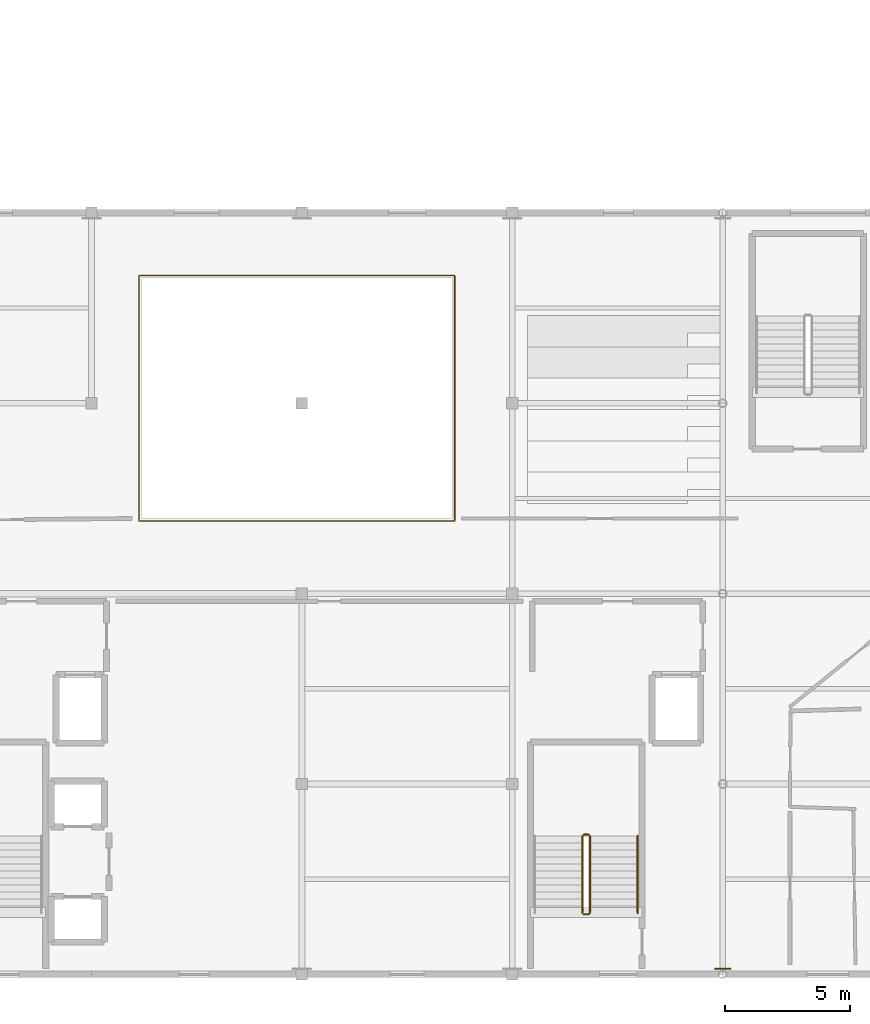
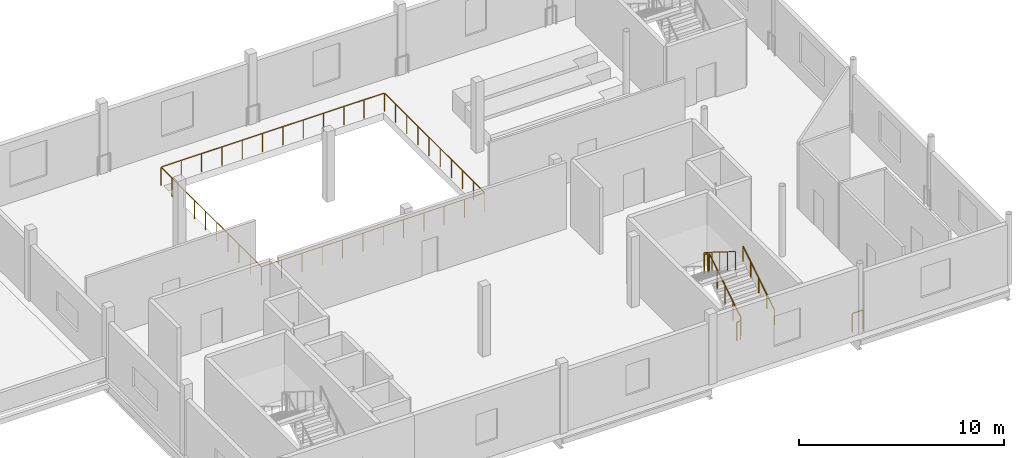
# One storey, part 11 of 13: 7 railings.
"""IFC4 building model written with IfcOpenShell, lengths in metres."""

from ifc_helpers import new_model, si_unit, direction, frame, origin, origin_2d, place, context, subcontext, project, spatial, circle, extrude, material, type_object, element, save


model = new_model("IFC4")

# Units and contexts
model_context = context("Model", 3, precision=1e-05, world=origin(), true_north=direction((0.0, 1.0)))
body_context = subcontext(model_context, "Body", "Model", "MODEL_VIEW")
ifc_project = project(units=[si_unit("LENGTHUNIT", "METRE"), si_unit("AREAUNIT", "SQUARE_METRE"), si_unit("VOLUMEUNIT", "CUBIC_METRE"), si_unit("PLANEANGLEUNIT", "RADIAN"), si_unit("MASSUNIT", "GRAM", prefix="KILO")], contexts=[model_context])

# Site, building, storey
site_placement = place(None, origin())
site = spatial("IfcSite", under=ifc_project, at=site_placement, CompositionType="ELEMENT")
building_placement = place(site_placement, origin())
building = spatial("IfcBuilding", under=site, at=building_placement, Name="Zuvorla Pavilion Media Centre", CompositionType="ELEMENT")
storey_placement = place(building_placement, frame((0.0, 0.0, 22.199951171875)))
storey = spatial("IfcBuildingStorey", under=building, at=storey_placement, Name="L05", CompositionType="ELEMENT", Elevation=22.199951171875)

# Railings
ifc_material_1 = material(Name="Powder-coated steel balustrade guard", Category="steel")
railing_type_1 = type_object("IfcRailingType", Name="RL-INT-GRD", PredefinedType="BALUSTRADE", material=ifc_material_1)
railing_1_placement = place(storey_placement, frame((95.10009765625, 8.449951171875, 0.175048828125)))
element("IfcRailing", 1, at=railing_1_placement, inside=storey, type_object=railing_type_1, Name="L05 ST-02 stair guard 1", PredefinedType="BALUSTRADE", context=body_context, shape_type="SweptSolid", body=[
    extrude(circle(Radius=0.02392578125, at=origin_2d()), frame((0.0, 0.0244140625, 1.111328125), z_axis=(0.0, 0.847998304005, 0.529998940003), x_axis=(-1.0, 0.0, 0.0)), (0.0, 0.0, 1.0), 3.574462890625),
    extrude(circle(Radius=0.02099609375, at=origin_2d()), origin(), (0.0, 0.0, 1.0), 1.070068359375),
    extrude(circle(Radius=0.02099609375, at=origin_2d()), frame((0.0, 0.77001953125, 0.481201171875)), (0.0, 0.0, 1.0), 1.070068359375),
    extrude(circle(Radius=0.02099609375, at=origin_2d()), frame((0.0, 1.5400390625, 0.96240234375)), (0.0, 0.0, 1.0), 1.070068359375),
    extrude(circle(Radius=0.02099609375, at=origin_2d()), frame((0.0, 2.31005859375, 1.44384765625)), (0.0, 0.0, 1.0), 1.070068359375),
    extrude(circle(Radius=0.02099609375, at=origin_2d()), frame((0.0, 3.080078125, 1.925048828125)), (0.0, 0.0, 1.0), 1.070068359375),
])
railing_2_placement = place(storey_placement, frame((95.050048828125, 11.580078125, 2.10009765625)))
element("IfcRailing", 2, at=railing_2_placement, inside=storey, type_object=railing_type_1, Name="L05 ST-02 stair guard 2", PredefinedType="BALUSTRADE", context=body_context, shape_type="SweptSolid", body=[
    extrude(circle(Radius=0.02392578125, at=origin_2d()), frame((-0.02880859375, 0.0, 1.09619140625), z_axis=(-1.0, 0.0, 0.0), x_axis=(0.0, -1.0, 0.0)), (0.0, 0.0, 1.0), 0.142333984375),
    extrude(circle(Radius=0.02099609375, at=origin_2d()), origin(), (0.0, 0.0, 1.0), 1.070068359375),
    extrude(circle(Radius=0.02099609375, at=origin_2d()), frame((-0.199951171875, 0.0, 0.0)), (0.0, 0.0, 1.0), 1.070068359375),
])
railing_3_placement = place(storey_placement, frame((94.800048828125, 11.530029296875, 2.275146484375)))
element("IfcRailing", 3, at=railing_3_placement, inside=storey, type_object=railing_type_1, Name="L05 ST-02 stair guard 3", PredefinedType="BALUSTRADE", context=body_context, shape_type="SweptSolid", body=[
    extrude(circle(Radius=0.02392578125, at=origin_2d()), frame((0.0, -0.0244140625, 1.111328125), z_axis=(0.0, -0.848028513186, 0.529950602248), x_axis=(1.0, 0.0, 0.0)), (0.0, 0.0, 1.0), 3.57421875),
    extrude(circle(Radius=0.02099609375, at=origin_2d()), origin(), (0.0, 0.0, 1.0), 1.070068359375),
    extrude(circle(Radius=0.02099609375, at=origin_2d()), frame((0.0, -0.77001953125, 0.481201171875)), (0.0, 0.0, 1.0), 1.070068359375),
    extrude(circle(Radius=0.02099609375, at=origin_2d()), frame((0.0, -1.5400390625, 0.96240234375)), (0.0, 0.0, 1.0), 1.070068359375),
    extrude(circle(Radius=0.02099609375, at=origin_2d()), frame((0.0, -2.31005859375, 1.443603515625)), (0.0, 0.0, 1.0), 1.070068359375),
    extrude(circle(Radius=0.02099609375, at=origin_2d()), frame((0.0, -3.080078125, 1.9248046875)), (0.0, 0.0, 1.0), 1.070068359375),
])
railing_4_placement = place(storey_placement, frame((95.050048828125, 8.39990234375, 0.0)))
element("IfcRailing", 4, at=railing_4_placement, inside=storey, type_object=railing_type_1, Name="L05 ST-02 stair guard 4", PredefinedType="BALUSTRADE", context=body_context, shape_type="SweptSolid", body=[
    extrude(circle(Radius=0.02392578125, at=origin_2d()), frame((-0.02880859375, 0.0, 1.09619140625), z_axis=(-1.0, 0.0, 0.0), x_axis=(0.0, -1.0, 0.0)), (0.0, 0.0, 1.0), 0.142333984375),
    extrude(circle(Radius=0.02099609375, at=origin_2d()), origin(), (0.0, 0.0, 1.0), 1.070068359375),
    extrude(circle(Radius=0.02099609375, at=origin_2d()), frame((-0.199951171875, 0.0, 0.0)), (0.0, 0.0, 1.0), 1.070068359375),
])
railing_5_placement = place(storey_placement, frame((77.10009765625, 24.10009765625, 0.0)))
element("IfcRailing", 5, at=railing_5_placement, inside=storey, type_object=railing_type_1, Name="L05 scr5void edge guard", PredefinedType="BALUSTRADE", context=body_context, shape_type="SweptSolid", body=[
    extrude(circle(Radius=0.02392578125, at=origin_2d()), frame((0.02880859375, 0.0, 1.09619140625), z_axis=(1.0, 0.0, 0.0), x_axis=(0.0, 1.0, 0.0)), (0.0, 0.0, 1.0), 12.542236328125),
    extrude(circle(Radius=0.02392578125, at=origin_2d()), frame((12.599853515625, 0.02880859375, 1.09619140625), z_axis=(0.0, 1.0, 0.0), x_axis=(-1.0, 0.0, 0.0)), (0.0, 0.0, 1.0), 9.7421875),
    extrude(circle(Radius=0.02392578125, at=origin_2d()), frame((12.571044921875, 9.7998046875, 1.09619140625), z_axis=(-1.0, 0.0, 0.0), x_axis=(0.0, -1.0, 0.0)), (0.0, 0.0, 1.0), 12.542236328125),
    extrude(circle(Radius=0.02392578125, at=origin_2d()), frame((0.0, 9.77099609375, 1.09619140625), z_axis=(0.0, -1.0, 0.0), x_axis=(1.0, 0.0, 0.0)), (0.0, 0.0, 1.0), 9.7421875),
    extrude(circle(Radius=0.02099609375, at=origin_2d()), origin(), (0.0, 0.0, 1.0), 1.070068359375),
    extrude(circle(Radius=0.02099609375, at=origin_2d()), frame((1.1455078125, 0.0, 0.0)), (0.0, 0.0, 1.0), 1.070068359375),
    extrude(circle(Radius=0.02099609375, at=origin_2d()), frame((2.290771484375, 0.0, 0.0)), (0.0, 0.0, 1.0), 1.070068359375),
    extrude(circle(Radius=0.02099609375, at=origin_2d()), frame((3.436279296875, 0.0, 0.0)), (0.0, 0.0, 1.0), 1.070068359375),
    extrude(circle(Radius=0.02099609375, at=origin_2d()), frame((4.581787109375, 0.0, 0.0)), (0.0, 0.0, 1.0), 1.070068359375),
    extrude(circle(Radius=0.02099609375, at=origin_2d()), frame((5.727294921875, 0.0, 0.0)), (0.0, 0.0, 1.0), 1.070068359375),
    extrude(circle(Radius=0.02099609375, at=origin_2d()), frame((6.87255859375, 0.0, 0.0)), (0.0, 0.0, 1.0), 1.070068359375),
    extrude(circle(Radius=0.02099609375, at=origin_2d()), frame((8.01806640625, 0.0, 0.0)), (0.0, 0.0, 1.0), 1.070068359375),
    extrude(circle(Radius=0.02099609375, at=origin_2d()), frame((9.16357421875, 0.0, 0.0)), (0.0, 0.0, 1.0), 1.070068359375),
    extrude(circle(Radius=0.02099609375, at=origin_2d()), frame((10.30908203125, 0.0, 0.0)), (0.0, 0.0, 1.0), 1.070068359375),
    extrude(circle(Radius=0.02099609375, at=origin_2d()), frame((11.454345703125, 0.0, 0.0)), (0.0, 0.0, 1.0), 1.070068359375),
    extrude(circle(Radius=0.02099609375, at=origin_2d()), frame((12.599853515625, 0.0, 0.0)), (0.0, 0.0, 1.0), 1.070068359375),
    extrude(circle(Radius=0.02099609375, at=origin_2d()), frame((12.599853515625, 1.0888671875, 0.0)), (0.0, 0.0, 1.0), 1.070068359375),
    extrude(circle(Radius=0.02099609375, at=origin_2d()), frame((12.599853515625, 2.177734375, 0.0)), (0.0, 0.0, 1.0), 1.070068359375),
    extrude(circle(Radius=0.02099609375, at=origin_2d()), frame((12.599853515625, 3.2666015625, 0.0)), (0.0, 0.0, 1.0), 1.070068359375),
    extrude(circle(Radius=0.02099609375, at=origin_2d()), frame((12.599853515625, 4.35546875, 0.0)), (0.0, 0.0, 1.0), 1.070068359375),
    extrude(circle(Radius=0.02099609375, at=origin_2d()), frame((12.599853515625, 5.4443359375, 0.0)), (0.0, 0.0, 1.0), 1.070068359375),
    extrude(circle(Radius=0.02099609375, at=origin_2d()), frame((12.599853515625, 6.533203125, 0.0)), (0.0, 0.0, 1.0), 1.070068359375),
    extrude(circle(Radius=0.02099609375, at=origin_2d()), frame((12.599853515625, 7.6220703125, 0.0)), (0.0, 0.0, 1.0), 1.070068359375),
    extrude(circle(Radius=0.02099609375, at=origin_2d()), frame((12.599853515625, 8.7109375, 0.0)), (0.0, 0.0, 1.0), 1.070068359375),
    extrude(circle(Radius=0.02099609375, at=origin_2d()), frame((12.599853515625, 9.7998046875, 0.0)), (0.0, 0.0, 1.0), 1.070068359375),
    extrude(circle(Radius=0.02099609375, at=origin_2d()), frame((11.454345703125, 9.7998046875, 0.0)), (0.0, 0.0, 1.0), 1.070068359375),
    extrude(circle(Radius=0.02099609375, at=origin_2d()), frame((10.30908203125, 9.7998046875, 0.0)), (0.0, 0.0, 1.0), 1.070068359375),
    extrude(circle(Radius=0.02099609375, at=origin_2d()), frame((9.16357421875, 9.7998046875, 0.0)), (0.0, 0.0, 1.0), 1.070068359375),
    extrude(circle(Radius=0.02099609375, at=origin_2d()), frame((8.01806640625, 9.7998046875, 0.0)), (0.0, 0.0, 1.0), 1.070068359375),
    extrude(circle(Radius=0.02099609375, at=origin_2d()), frame((6.87255859375, 9.7998046875, 0.0)), (0.0, 0.0, 1.0), 1.070068359375),
    extrude(circle(Radius=0.02099609375, at=origin_2d()), frame((5.727294921875, 9.7998046875, 0.0)), (0.0, 0.0, 1.0), 1.070068359375),
    extrude(circle(Radius=0.02099609375, at=origin_2d()), frame((4.581787109375, 9.7998046875, 0.0)), (0.0, 0.0, 1.0), 1.070068359375),
    extrude(circle(Radius=0.02099609375, at=origin_2d()), frame((3.436279296875, 9.7998046875, 0.0)), (0.0, 0.0, 1.0), 1.070068359375),
    extrude(circle(Radius=0.02099609375, at=origin_2d()), frame((2.290771484375, 9.7998046875, 0.0)), (0.0, 0.0, 1.0), 1.070068359375),
    extrude(circle(Radius=0.02099609375, at=origin_2d()), frame((1.1455078125, 9.7998046875, 0.0)), (0.0, 0.0, 1.0), 1.070068359375),
    extrude(circle(Radius=0.02099609375, at=origin_2d()), frame((0.0, 9.7998046875, 0.0)), (0.0, 0.0, 1.0), 1.070068359375),
    extrude(circle(Radius=0.02099609375, at=origin_2d()), frame((0.0, 8.7109375, 0.0)), (0.0, 0.0, 1.0), 1.070068359375),
    extrude(circle(Radius=0.02099609375, at=origin_2d()), frame((0.0, 7.6220703125, 0.0)), (0.0, 0.0, 1.0), 1.070068359375),
    extrude(circle(Radius=0.02099609375, at=origin_2d()), frame((0.0, 6.533203125, 0.0)), (0.0, 0.0, 1.0), 1.070068359375),
    extrude(circle(Radius=0.02099609375, at=origin_2d()), frame((0.0, 5.4443359375, 0.0)), (0.0, 0.0, 1.0), 1.070068359375),
    extrude(circle(Radius=0.02099609375, at=origin_2d()), frame((0.0, 4.35546875, 0.0)), (0.0, 0.0, 1.0), 1.070068359375),
    extrude(circle(Radius=0.02099609375, at=origin_2d()), frame((0.0, 3.2666015625, 0.0)), (0.0, 0.0, 1.0), 1.070068359375),
    extrude(circle(Radius=0.02099609375, at=origin_2d()), frame((0.0, 2.177734375, 0.0)), (0.0, 0.0, 1.0), 1.070068359375),
    extrude(circle(Radius=0.02099609375, at=origin_2d()), frame((0.0, 1.0888671875, 0.0)), (0.0, 0.0, 1.0), 1.070068359375),
])
railing_6_placement = place(storey_placement, frame((100.701904296875, 6.219970703125, 0.0)))
element("IfcRailing", 6, at=railing_6_placement, inside=storey, type_object=railing_type_1, Name="L05 slab edge guard 137", PredefinedType="BALUSTRADE", context=body_context, shape_type="SweptSolid", body=[
    extrude(circle(Radius=0.02392578125, at=origin_2d()), frame((-0.02880859375, 0.0, 1.09619140625), z_axis=(-1.0, 0.0, 0.0), x_axis=(0.0, -1.0, 0.0)), (0.0, 0.0, 1.0), 0.546142578125),
    extrude(circle(Radius=0.02099609375, at=origin_2d()), origin(), (0.0, 0.0, 1.0), 1.070068359375),
    extrude(circle(Radius=0.02099609375, at=origin_2d()), frame((-0.603759765625, 0.0, 0.0)), (0.0, 0.0, 1.0), 1.070068359375),
])
ifc_material_2 = material(Name="Brushed stainless steel tubular handrail", Category="steel")
railing_type_2 = type_object("IfcRailingType", Name="RL-INT-HND", PredefinedType="HANDRAIL", material=ifc_material_2)
railing_7_placement = place(storey_placement, frame((97.0, 8.449951171875, 0.175048828125)))
element("IfcRailing", 7, at=railing_7_placement, inside=storey, type_object=railing_type_2, Name="L05 ST-02 handrail 1", PredefinedType="HANDRAIL", context=body_context, shape_type="SweptSolid", body=[
    extrude(circle(Radius=0.02392578125, at=origin_2d()), frame((0.0, 0.0244140625, 0.89111328125), z_axis=(0.0, 0.847998304005, 0.529998940003), x_axis=(-1.0, 0.0, 0.0)), (0.0, 0.0, 1.0), 3.574462890625),
    extrude(circle(Radius=0.02099609375, at=origin_2d()), origin(), (0.0, 0.0, 1.0), 0.849853515625),
    extrude(circle(Radius=0.02099609375, at=origin_2d()), frame((0.0, 0.77001953125, 0.481201171875)), (0.0, 0.0, 1.0), 0.849853515625),
    extrude(circle(Radius=0.02099609375, at=origin_2d()), frame((0.0, 1.5400390625, 0.96240234375)), (0.0, 0.0, 1.0), 0.849853515625),
    extrude(circle(Radius=0.02099609375, at=origin_2d()), frame((0.0, 2.31005859375, 1.44384765625)), (0.0, 0.0, 1.0), 0.849853515625),
    extrude(circle(Radius=0.02099609375, at=origin_2d()), frame((0.0, 3.080078125, 1.925048828125)), (0.0, 0.0, 1.0), 0.849853515625),
])

save(model, "model.ifc")
